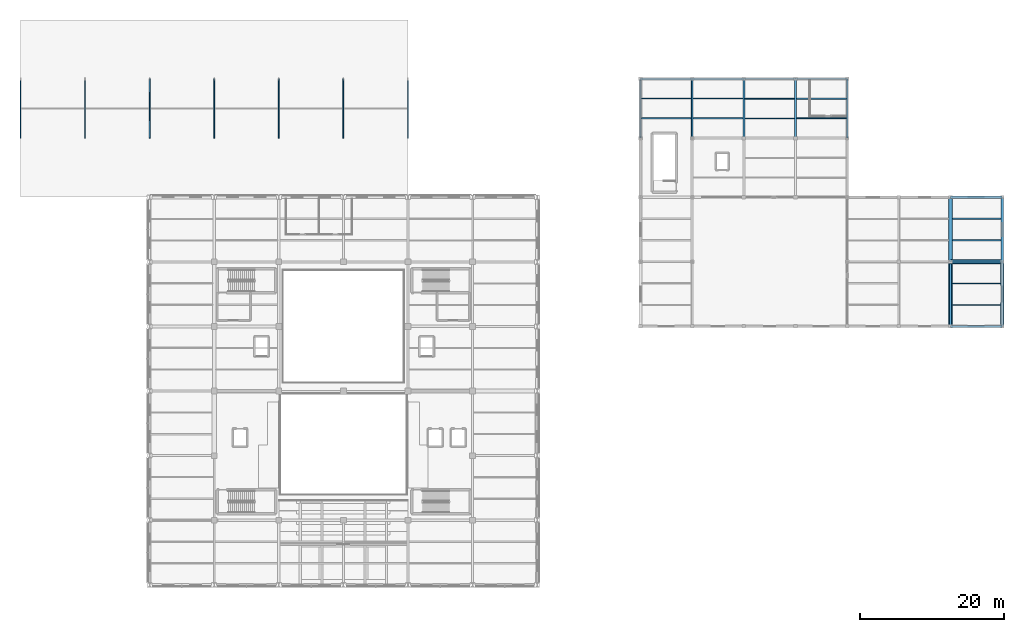
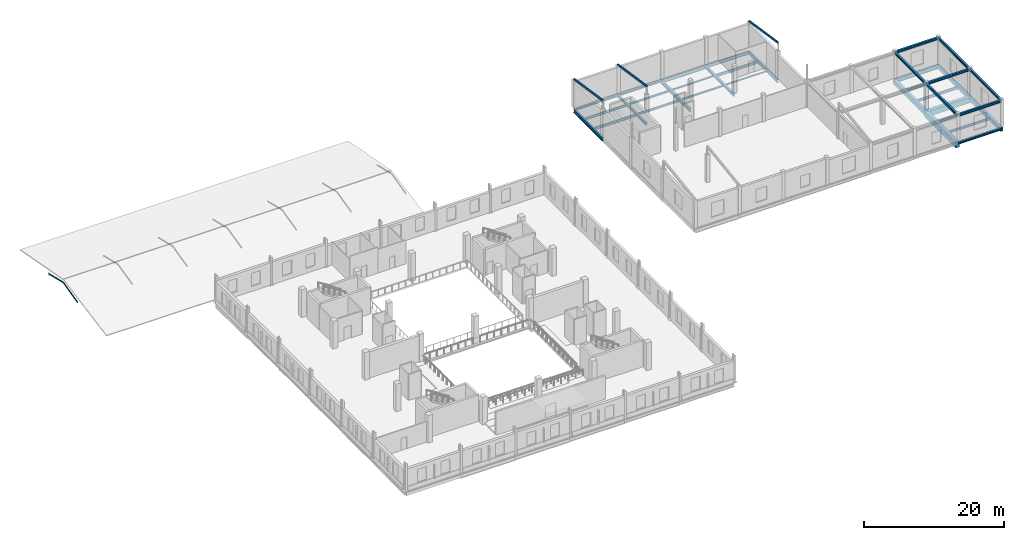
# One storey, part 14 of 35: 35 beams, 17 members.
"""IFC4 building model written with IfcOpenShell, lengths in metres."""

from ifc_helpers import new_model, si_unit, direction, frame, origin, origin_2d, place, context, subcontext, project, spatial, rectangle, hollow_rectangle, i_section, extrude, material, material_profile, profile_set, type_object, element, save


model = new_model("IFC4")

# Units and contexts
model_context = context("Model", 3, precision=1e-05, world=origin(), true_north=direction((0.0, 1.0)))
body_context = subcontext(model_context, "Body", "Model", "MODEL_VIEW")
ifc_project = project(units=[si_unit("LENGTHUNIT", "METRE"), si_unit("AREAUNIT", "SQUARE_METRE"), si_unit("VOLUMEUNIT", "CUBIC_METRE"), si_unit("PLANEANGLEUNIT", "RADIAN"), si_unit("MASSUNIT", "GRAM", prefix="KILO")], contexts=[model_context])

# Site, building, storey
site_placement = place(None, origin())
site = spatial("IfcSite", under=ifc_project, at=site_placement, CompositionType="ELEMENT")
building_placement = place(site_placement, origin())
building = spatial("IfcBuilding", under=site, at=building_placement, Name="Sundgate Opera House", CompositionType="ELEMENT")
storey_placement = place(building_placement, frame((0.0, 0.0, 21.60009765625)))
storey = spatial("IfcBuildingStorey", under=building, at=storey_placement, Name="L04", CompositionType="ELEMENT", Elevation=21.60009765625)

# Beams
ifc_material_1 = material(Name="Steel S355J2", Category="steel")
ifc_material_profile_1 = material_profile(ifc_material_1, i_section(OverallWidth=0.300048828125, OverallDepth=0.330078125, WebThickness=0.009521484375, FlangeThickness=0.0166015625, at=origin_2d()), Name="HEA 340")
ifc_profile_set_1 = profile_set([ifc_material_profile_1], Name="Steel S355J2")
beam_type_1 = type_object("IfcBeamType", Name="BM-GR-HEA340", PredefinedType="BEAM", material=ifc_profile_set_1)
beam_1_placement = place(storey_placement, frame((102.60009765625, 103.5, -0.445068359375), z_axis=(1.0, 0.0, 0.0), x_axis=(0.0, 1.0, 0.0)))
element("IfcBeam", 1, at=beam_1_placement, inside=storey, type_object=beam_type_1, Name="L04 Primary E-W Girder B3000", PredefinedType="BEAM", context=body_context, shape_type="SweptSolid", body=[
    extrude(i_section(OverallWidth=0.300048828125, OverallDepth=0.330078125, WebThickness=0.009521484375, FlangeThickness=0.0166015625, at=origin_2d()), origin(), (0.0, 0.0, 1.0), 7.199951171875),
])
ifc_material_2 = material(Name="Steel S355J2", Category="steel")
ifc_material_profile_2 = material_profile(ifc_material_2, i_section(OverallWidth=0.300048828125, OverallDepth=0.35009765625, WebThickness=0.010009765625, FlangeThickness=0.017578125, at=origin_2d()), Name="HEA 360")
ifc_profile_set_2 = profile_set([ifc_material_profile_2], Name="Steel S355J2")
beam_type_2 = type_object("IfcBeamType", Name="BM-GR-HEA360", PredefinedType="BEAM", material=ifc_profile_set_2)
beam_2_placement = place(storey_placement, frame((95.39990234375, 103.5, -0.455078125), z_axis=(1.0, 0.0, 0.0), x_axis=(0.0, 1.0, 0.0)))
element("IfcBeam", 2, at=beam_2_placement, inside=storey, type_object=beam_type_2, Name="L04 Primary E-W Girder B2999", PredefinedType="BEAM", context=body_context, shape_type="SweptSolid", body=[
    extrude(i_section(OverallWidth=0.300048828125, OverallDepth=0.35009765625, WebThickness=0.010009765625, FlangeThickness=0.017578125, at=origin_2d()), origin(), (0.0, 0.0, 1.0), 7.2001953125),
])
ifc_material_3 = material(Name="Steel S355J2", Category="steel")
ifc_material_profile_3 = material_profile(ifc_material_3, i_section(OverallWidth=0.300048828125, OverallDepth=0.389892578125, WebThickness=0.010986328125, FlangeThickness=0.01904296875, at=origin_2d()), Name="HEA 400")
ifc_profile_set_3 = profile_set([ifc_material_profile_3], Name="Steel S355J2")
beam_type_3 = type_object("IfcBeamType", Name="BM-GR-HEA400", PredefinedType="BEAM", material=ifc_profile_set_3)
for number, where, z_axis, x_axis, name in (
    (3, (138.60009765625, 69.0, 4.39501953125), (0.0, 1.0, 0.0), (-1.0, 0.0, 0.0), "L04 L04 Roof Girder B3425"),
    (4, (138.60009765625, 78.0, 4.39501953125), (0.0, 1.0, 0.0), (-1.0, 0.0, 0.0), "L04 L04 Roof Girder B3426"),
    (5, (145.800048828125, 69.0, 4.39501953125), (0.0, 1.0, 0.0), (-1.0, 0.0, 0.0), "L04 L04 Roof Girder B3427"),
    (6, (145.800048828125, 78.0, 4.39501953125), (0.0, 1.0, 0.0), (-1.0, 0.0, 0.0), "L04 L04 Roof Girder B3428"),
):
    element("IfcBeam", number, at=place(storey_placement, frame(where, z_axis=z_axis, x_axis=x_axis)), inside=storey, type_object=beam_type_3, Name=name, PredefinedType="BEAM", context=body_context, shape_type="SweptSolid", body=[
        extrude(i_section(OverallWidth=0.300048828125, OverallDepth=0.389892578125, WebThickness=0.010986328125, FlangeThickness=0.01904296875, at=origin_2d()), origin(), (0.0, 0.0, 1.0), 9.0),
    ])
for number, where, z_axis, x_axis, name in (
    (7, (138.60009765625, 69.0, 4.39501953125), (1.0, 0.0, 0.0), (0.0, 1.0, 0.0), "L04 L04 Roof Girder B3431"),
    (8, (138.60009765625, 78.0, 4.39501953125), (1.0, 0.0, 0.0), (0.0, 1.0, 0.0), "L04 L04 Roof Girder B3434"),
    (9, (138.60009765625, 87.0, 4.39501953125), (1.0, 0.0, 0.0), (0.0, 1.0, 0.0), "L04 L04 Roof Girder B3437"),
):
    element("IfcBeam", number, at=place(storey_placement, frame(where, z_axis=z_axis, x_axis=x_axis)), inside=storey, type_object=beam_type_3, Name=name, PredefinedType="BEAM", context=body_context, shape_type="SweptSolid", body=[
        extrude(i_section(OverallWidth=0.300048828125, OverallDepth=0.389892578125, WebThickness=0.010986328125, FlangeThickness=0.01904296875, at=origin_2d()), origin(), (0.0, 0.0, 1.0), 7.199951171875),
    ])
ifc_material_4 = material(Name="Steel S355J2", Category="steel")
ifc_material_profile_4 = material_profile(ifc_material_4, i_section(OverallWidth=0.300048828125, OverallDepth=0.43994140625, WebThickness=0.011474609375, FlangeThickness=0.02099609375, at=origin_2d()), Name="HEA 450")
ifc_profile_set_4 = profile_set([ifc_material_profile_4], Name="Steel S355J2")
beam_type_4 = type_object("IfcBeamType", Name="BM-GR-HEA450", PredefinedType="BEAM", material=ifc_profile_set_4)
beam_3_placement = place(storey_placement, frame((117.0, 95.25, -0.5), z_axis=(0.0, 1.0, 0.0), x_axis=(-1.0, 0.0, 0.0)))
element("IfcBeam", 10, at=beam_3_placement, inside=storey, type_object=beam_type_4, Name="L04 Primary N-S Girder B2931", PredefinedType="BEAM", context=body_context, shape_type="SweptSolid", body=[
    extrude(i_section(OverallWidth=0.300048828125, OverallDepth=0.43994140625, WebThickness=0.011474609375, FlangeThickness=0.02099609375, at=origin_2d()), origin(), (0.0, 0.0, 1.0), 8.25),
])
ifc_material_5 = material(Name="Steel S355J2", Category="steel")
ifc_material_profile_5 = material_profile(ifc_material_5, i_section(OverallWidth=0.300048828125, OverallDepth=0.590087890625, WebThickness=0.012939453125, FlangeThickness=0.02490234375, at=origin_2d()), Name="HEA 600")
ifc_profile_set_5 = profile_set([ifc_material_profile_5], Name="Steel S355J2")
beam_type_5 = type_object("IfcBeamType", Name="BM-GR-HEA600", PredefinedType="BEAM", material=ifc_profile_set_5)
beam_4_placement = place(storey_placement, frame((109.800048828125, 95.25, -0.5751953125), z_axis=(0.0, 1.0, 0.0), x_axis=(-1.0, 0.0, 0.0)))
element("IfcBeam", 11, at=beam_4_placement, inside=storey, type_object=beam_type_5, Name="L04 Primary N-S Girder B2929", PredefinedType="BEAM", context=body_context, shape_type="SweptSolid", body=[
    extrude(i_section(OverallWidth=0.300048828125, OverallDepth=0.590087890625, WebThickness=0.012939453125, FlangeThickness=0.02490234375, at=origin_2d()), origin(), (0.0, 0.0, 1.0), 8.25),
])
beam_5_placement = place(storey_placement, frame((138.60009765625, 87.0, -0.5751953125), z_axis=(1.0, 0.0, 0.0), x_axis=(0.0, 1.0, 0.0)))
element("IfcBeam", 12, at=beam_5_placement, inside=storey, type_object=beam_type_5, Name="L04 Primary E-W Girder B2995", PredefinedType="BEAM", context=body_context, shape_type="SweptSolid", body=[
    extrude(i_section(OverallWidth=0.300048828125, OverallDepth=0.590087890625, WebThickness=0.012939453125, FlangeThickness=0.02490234375, at=origin_2d()), origin(), (0.0, 0.0, 1.0), 7.199951171875),
])
ifc_material_6 = material(Name="Steel S355J2", Category="steel")
ifc_material_profile_6 = material_profile(ifc_material_6, i_section(OverallWidth=0.300048828125, OverallDepth=0.360107421875, WebThickness=0.012451171875, FlangeThickness=0.0224609375, at=origin_2d()), Name="HEB 360")
ifc_profile_set_6 = profile_set([ifc_material_profile_6], Name="Steel S355J2")
beam_type_6 = type_object("IfcBeamType", Name="BM-GR-HEB360", PredefinedType="BEAM", material=ifc_profile_set_6)
beam_6_placement = place(storey_placement, frame((138.60009765625, 69.0, -0.460205078125), z_axis=(1.0, 0.0, 0.0), x_axis=(0.0, 1.0, 0.0)))
element("IfcBeam", 13, at=beam_6_placement, inside=storey, type_object=beam_type_6, Name="L04 Primary E-W Girder B2972", PredefinedType="BEAM", context=body_context, shape_type="SweptSolid", body=[
    extrude(i_section(OverallWidth=0.300048828125, OverallDepth=0.360107421875, WebThickness=0.012451171875, FlangeThickness=0.0224609375, at=origin_2d()), origin(), (0.0, 0.0, 1.0), 7.199951171875),
])
ifc_material_7 = material(Name="Steel S355J2", Category="steel")
ifc_material_profile_7 = material_profile(ifc_material_7, i_section(OverallWidth=0.300048828125, OverallDepth=0.39990234375, WebThickness=0.013427734375, FlangeThickness=0.02392578125, at=origin_2d()), Name="HEB 400")
ifc_profile_set_7 = profile_set([ifc_material_profile_7], Name="Steel S355J2")
beam_type_7 = type_object("IfcBeamType", Name="BM-GR-HEB400", PredefinedType="BEAM", material=ifc_profile_set_7)
beam_7_placement = place(storey_placement, frame((102.60009765625, 95.25, -0.47998046875), z_axis=(0.0, 1.0, 0.0), x_axis=(-1.0, 0.0, 0.0)))
element("IfcBeam", 14, at=beam_7_placement, inside=storey, type_object=beam_type_7, Name="L04 Primary N-S Girder B2927", PredefinedType="BEAM", context=body_context, shape_type="SweptSolid", body=[
    extrude(i_section(OverallWidth=0.300048828125, OverallDepth=0.39990234375, WebThickness=0.013427734375, FlangeThickness=0.02392578125, at=origin_2d()), origin(), (0.0, 0.0, 1.0), 8.25),
])
ifc_material_8 = material(Name="Steel S355J2", Category="steel")
ifc_material_profile_8 = material_profile(ifc_material_8, i_section(OverallWidth=0.300048828125, OverallDepth=0.60009765625, WebThickness=0.015380859375, FlangeThickness=0.030029296875, at=origin_2d()), Name="HEB 600")
ifc_profile_set_8 = profile_set([ifc_material_profile_8], Name="Steel S355J2")
beam_type_8 = type_object("IfcBeamType", Name="BM-GR-HEB600", PredefinedType="BEAM", material=ifc_profile_set_8)
beam_8_placement = place(storey_placement, frame((95.39990234375, 95.25, -0.580078125), z_axis=(0.0, 1.0, 0.0), x_axis=(-1.0, 0.0, 0.0)))
element("IfcBeam", 15, at=beam_8_placement, inside=storey, type_object=beam_type_8, Name="L04 Primary N-S Girder B2923", PredefinedType="BEAM", context=body_context, shape_type="SweptSolid", body=[
    extrude(i_section(OverallWidth=0.300048828125, OverallDepth=0.60009765625, WebThickness=0.015380859375, FlangeThickness=0.030029296875, at=origin_2d()), origin(), (0.0, 0.0, 1.0), 8.25),
])
ifc_material_9 = material(Name="Steel S355J2", Category="steel")
ifc_material_profile_9 = material_profile(ifc_material_9, i_section(OverallWidth=0.2099609375, OverallDepth=0.550048828125, WebThickness=0.010986328125, FlangeThickness=0.01708984375, at=origin_2d()), Name="IPE 550")
ifc_profile_set_9 = profile_set([ifc_material_profile_9], Name="Steel S355J2")
beam_type_9 = type_object("IfcBeamType", Name="BM-GR-IPE550", PredefinedType="BEAM", material=ifc_profile_set_9)
beam_9_placement = place(storey_placement, frame((117.0, 103.5, -0.55517578125), z_axis=(1.0, 0.0, 0.0), x_axis=(0.0, 1.0, 0.0)))
element("IfcBeam", 16, at=beam_9_placement, inside=storey, type_object=beam_type_9, Name="L04 Primary E-W Girder B3002", PredefinedType="BEAM", context=body_context, shape_type="SweptSolid", body=[
    extrude(i_section(OverallWidth=0.2099609375, OverallDepth=0.550048828125, WebThickness=0.010986328125, FlangeThickness=0.01708984375, at=origin_2d()), origin(), (0.0, 0.0, 1.0), 7.199951171875),
])
ifc_material_10 = material(Name="Steel S355J2", Category="steel")
ifc_material_profile_10 = material_profile(ifc_material_10, i_section(OverallWidth=0.219970703125, OverallDepth=0.60009765625, WebThickness=0.011962890625, FlangeThickness=0.01904296875, at=origin_2d()), Name="IPE 600")
ifc_profile_set_10 = profile_set([ifc_material_profile_10], Name="Steel S355J2")
beam_type_10 = type_object("IfcBeamType", Name="BM-GR-IPE600", PredefinedType="BEAM", material=ifc_profile_set_10)
beam_10_placement = place(storey_placement, frame((124.199951171875, 95.25, -0.580078125), z_axis=(0.0, 1.0, 0.0), x_axis=(-1.0, 0.0, 0.0)))
element("IfcBeam", 17, at=beam_10_placement, inside=storey, type_object=beam_type_10, Name="L04 Primary N-S Girder B2935", PredefinedType="BEAM", context=body_context, shape_type="SweptSolid", body=[
    extrude(i_section(OverallWidth=0.219970703125, OverallDepth=0.60009765625, WebThickness=0.011962890625, FlangeThickness=0.01904296875, at=origin_2d()), origin(), (0.0, 0.0, 1.0), 8.25),
])
beam_11_placement = place(storey_placement, frame((109.800048828125, 103.5, -0.580078125), z_axis=(1.0, 0.0, 0.0), x_axis=(0.0, 1.0, 0.0)))
element("IfcBeam", 18, at=beam_11_placement, inside=storey, type_object=beam_type_10, Name="L04 Primary E-W Girder B3001", PredefinedType="BEAM", context=body_context, shape_type="SweptSolid", body=[
    extrude(i_section(OverallWidth=0.219970703125, OverallDepth=0.60009765625, WebThickness=0.011962890625, FlangeThickness=0.01904296875, at=origin_2d()), origin(), (0.0, 0.0, 1.0), 7.199951171875),
])
ifc_material_11 = material(Name="Steel S355J2", Category="steel")
ifc_material_profile_11 = material_profile(ifc_material_11, i_section(OverallWidth=0.1201171875, OverallDepth=0.239990234375, WebThickness=0.006103515625, FlangeThickness=0.009765625, at=origin_2d()), Name="IPE 240")
ifc_profile_set_11 = profile_set([ifc_material_profile_11], Name="Steel S355J2")
beam_type_11 = type_object("IfcBeamType", Name="BM-JS-IPE240", PredefinedType="JOIST", material=ifc_profile_set_11)
beam_12_placement = place(storey_placement, frame((117.14990234375, 98.0, -0.400146484375), z_axis=(1.0, 0.0, 0.0), x_axis=(0.0, 1.0, 0.0)))
element("IfcBeam", 19, at=beam_12_placement, inside=storey, type_object=beam_type_11, Name="L04 Secondary Floor Joist B3074", PredefinedType="JOIST", context=body_context, shape_type="SweptSolid", body=[
    extrude(i_section(OverallWidth=0.1201171875, OverallDepth=0.239990234375, WebThickness=0.006103515625, FlangeThickness=0.009765625, at=origin_2d()), origin(), (0.0, 0.0, 1.0), 6.940185546875),
])
ifc_material_12 = material(Name="Steel S355J2", Category="steel")
ifc_material_profile_12 = material_profile(ifc_material_12, i_section(OverallWidth=0.135009765625, OverallDepth=0.27001953125, WebThickness=0.006591796875, FlangeThickness=0.01025390625, at=origin_2d()), Name="IPE 270")
ifc_profile_set_12 = profile_set([ifc_material_profile_12], Name="Steel S355J2")
beam_type_12 = type_object("IfcBeamType", Name="BM-JS-IPE270", PredefinedType="JOIST", material=ifc_profile_set_12)
beam_13_placement = place(storey_placement, frame((109.949951171875, 100.75, -0.4150390625), z_axis=(1.0, 0.0, 0.0), x_axis=(0.0, 1.0, 0.0)))
element("IfcBeam", 20, at=beam_13_placement, inside=storey, type_object=beam_type_12, Name="L04 Secondary Floor Joist B3073", PredefinedType="JOIST", context=body_context, shape_type="SweptSolid", body=[
    extrude(i_section(OverallWidth=0.135009765625, OverallDepth=0.27001953125, WebThickness=0.006591796875, FlangeThickness=0.01025390625, at=origin_2d()), origin(), (0.0, 0.0, 1.0), 6.900146484375),
])
ifc_material_13 = material(Name="Steel S355J2", Category="steel")
ifc_material_profile_13 = material_profile(ifc_material_13, i_section(OverallWidth=0.14990234375, OverallDepth=0.300048828125, WebThickness=0.007080078125, FlangeThickness=0.0107421875, at=origin_2d()), Name="IPE 300")
ifc_profile_set_13 = profile_set([ifc_material_profile_13], Name="Steel S355J2")
beam_type_13 = type_object("IfcBeamType", Name="BM-JS-IPE300", PredefinedType="JOIST", material=ifc_profile_set_13)
beam_14_placement = place(storey_placement, frame((109.949951171875, 98.0, -0.43017578125), z_axis=(1.0, 0.0, 0.0), x_axis=(0.0, 1.0, 0.0)))
element("IfcBeam", 21, at=beam_14_placement, inside=storey, type_object=beam_type_13, Name="L04 Secondary Floor Joist B3072", PredefinedType="JOIST", context=body_context, shape_type="SweptSolid", body=[
    extrude(i_section(OverallWidth=0.14990234375, OverallDepth=0.300048828125, WebThickness=0.007080078125, FlangeThickness=0.0107421875, at=origin_2d()), origin(), (0.0, 0.0, 1.0), 6.900146484375),
])
ifc_material_14 = material(Name="Steel S355J2", Category="steel")
ifc_material_profile_14 = material_profile(ifc_material_14, i_section(OverallWidth=0.159912109375, OverallDepth=0.330078125, WebThickness=0.007568359375, FlangeThickness=0.011474609375, at=origin_2d()), Name="IPE 330")
ifc_profile_set_14 = profile_set([ifc_material_profile_14], Name="Steel S355J2")
beam_type_14 = type_object("IfcBeamType", Name="BM-JS-IPE330", PredefinedType="JOIST", material=ifc_profile_set_14)
beam_15_placement = place(storey_placement, frame((102.75, 100.75, -0.445068359375), z_axis=(1.0, 0.0, 0.0), x_axis=(0.0, 1.0, 0.0)))
element("IfcBeam", 22, at=beam_15_placement, inside=storey, type_object=beam_type_14, Name="L04 Secondary Floor Joist B3071", PredefinedType="JOIST", context=body_context, shape_type="SweptSolid", body=[
    extrude(i_section(OverallWidth=0.159912109375, OverallDepth=0.330078125, WebThickness=0.007568359375, FlangeThickness=0.011474609375, at=origin_2d()), origin(), (0.0, 0.0, 1.0), 6.89990234375),
])
ifc_material_15 = material(Name="Steel S355J2", Category="steel")
ifc_material_profile_15 = material_profile(ifc_material_15, i_section(OverallWidth=0.169921875, OverallDepth=0.360107421875, WebThickness=0.008056640625, FlangeThickness=0.0126953125, at=origin_2d()), Name="IPE 360")
ifc_profile_set_15 = profile_set([ifc_material_profile_15], Name="Steel S355J2")
beam_type_15 = type_object("IfcBeamType", Name="BM-JS-IPE360", PredefinedType="JOIST", material=ifc_profile_set_15)
beam_16_placement = place(storey_placement, frame((138.89990234375, 75.0, -0.460205078125), z_axis=(1.0, 0.0, 0.0), x_axis=(0.0, 1.0, 0.0)))
element("IfcBeam", 23, at=beam_16_placement, inside=storey, type_object=beam_type_15, Name="L04 Secondary Floor Joist B3042", PredefinedType="JOIST", context=body_context, shape_type="SweptSolid", body=[
    extrude(i_section(OverallWidth=0.169921875, OverallDepth=0.360107421875, WebThickness=0.008056640625, FlangeThickness=0.0126953125, at=origin_2d()), origin(), (0.0, 0.0, 1.0), 6.675048828125),
])
beam_17_placement = place(storey_placement, frame((102.75, 98.0, -0.460205078125), z_axis=(1.0, 0.0, 0.0), x_axis=(0.0, 1.0, 0.0)))
element("IfcBeam", 24, at=beam_17_placement, inside=storey, type_object=beam_type_15, Name="L04 Secondary Floor Joist B3070", PredefinedType="JOIST", context=body_context, shape_type="SweptSolid", body=[
    extrude(i_section(OverallWidth=0.169921875, OverallDepth=0.360107421875, WebThickness=0.008056640625, FlangeThickness=0.0126953125, at=origin_2d()), origin(), (0.0, 0.0, 1.0), 6.89990234375),
])
ifc_material_16 = material(Name="Steel S355J2", Category="steel")
ifc_material_profile_16 = material_profile(ifc_material_16, i_section(OverallWidth=0.179931640625, OverallDepth=0.39990234375, WebThickness=0.008544921875, FlangeThickness=0.013427734375, at=origin_2d()), Name="IPE 400")
ifc_profile_set_16 = profile_set([ifc_material_profile_16], Name="Steel S355J2")
beam_type_16 = type_object("IfcBeamType", Name="BM-JS-IPE400", PredefinedType="JOIST", material=ifc_profile_set_16)
beam_18_placement = place(storey_placement, frame((138.89990234375, 72.0, -0.47998046875), z_axis=(1.0, 0.0, 0.0), x_axis=(0.0, 1.0, 0.0)))
element("IfcBeam", 25, at=beam_18_placement, inside=storey, type_object=beam_type_16, Name="L04 Secondary Floor Joist B3041", PredefinedType="JOIST", context=body_context, shape_type="SweptSolid", body=[
    extrude(i_section(OverallWidth=0.179931640625, OverallDepth=0.39990234375, WebThickness=0.008544921875, FlangeThickness=0.013427734375, at=origin_2d()), origin(), (0.0, 0.0, 1.0), 6.675048828125),
])
beam_19_placement = place(storey_placement, frame((138.85009765625, 84.0, -0.47998046875), z_axis=(1.0, 0.0, 0.0), x_axis=(0.0, 1.0, 0.0)))
element("IfcBeam", 26, at=beam_19_placement, inside=storey, type_object=beam_type_16, Name="L04 Secondary Floor Joist B3062", PredefinedType="JOIST", context=body_context, shape_type="SweptSolid", body=[
    extrude(i_section(OverallWidth=0.179931640625, OverallDepth=0.39990234375, WebThickness=0.008544921875, FlangeThickness=0.013427734375, at=origin_2d()), origin(), (0.0, 0.0, 1.0), 6.75),
])
beam_20_placement = place(storey_placement, frame((95.550048828125, 100.75, -0.47998046875), z_axis=(1.0, 0.0, 0.0), x_axis=(0.0, 1.0, 0.0)))
element("IfcBeam", 27, at=beam_20_placement, inside=storey, type_object=beam_type_16, Name="L04 Secondary Floor Joist B3069", PredefinedType="JOIST", context=body_context, shape_type="SweptSolid", body=[
    extrude(i_section(OverallWidth=0.179931640625, OverallDepth=0.39990234375, WebThickness=0.008544921875, FlangeThickness=0.013427734375, at=origin_2d()), origin(), (0.0, 0.0, 1.0), 6.89990234375),
])
ifc_material_17 = material(Name="Steel S355J2", Category="steel")
ifc_material_profile_17 = material_profile(ifc_material_17, i_section(OverallWidth=0.18994140625, OverallDepth=0.449951171875, WebThickness=0.009521484375, FlangeThickness=0.0146484375, at=origin_2d()), Name="IPE 450")
ifc_profile_set_17 = profile_set([ifc_material_profile_17], Name="Steel S355J2")
beam_type_17 = type_object("IfcBeamType", Name="BM-JS-IPE450", PredefinedType="JOIST", material=ifc_profile_set_17)
beam_21_placement = place(storey_placement, frame((138.85009765625, 81.0, -0.505126953125), z_axis=(1.0, 0.0, 0.0), x_axis=(0.0, 1.0, 0.0)))
element("IfcBeam", 28, at=beam_21_placement, inside=storey, type_object=beam_type_17, Name="L04 Secondary Floor Joist B3061", PredefinedType="JOIST", context=body_context, shape_type="SweptSolid", body=[
    extrude(i_section(OverallWidth=0.18994140625, OverallDepth=0.449951171875, WebThickness=0.009521484375, FlangeThickness=0.0146484375, at=origin_2d()), origin(), (0.0, 0.0, 1.0), 6.75),
])
beam_22_placement = place(storey_placement, frame((95.550048828125, 98.0, -0.505126953125), z_axis=(1.0, 0.0, 0.0), x_axis=(0.0, 1.0, 0.0)))
element("IfcBeam", 29, at=beam_22_placement, inside=storey, type_object=beam_type_17, Name="L04 Secondary Floor Joist B3068", PredefinedType="JOIST", context=body_context, shape_type="SweptSolid", body=[
    extrude(i_section(OverallWidth=0.18994140625, OverallDepth=0.449951171875, WebThickness=0.009521484375, FlangeThickness=0.0146484375, at=origin_2d()), origin(), (0.0, 0.0, 1.0), 6.89990234375),
])
beam_23_placement = place(storey_placement, frame((117.14990234375, 100.75, -0.505126953125), z_axis=(1.0, 0.0, 0.0), x_axis=(0.0, 1.0, 0.0)))
element("IfcBeam", 30, at=beam_23_placement, inside=storey, type_object=beam_type_17, Name="L04 Secondary Floor Joist B3075", PredefinedType="JOIST", context=body_context, shape_type="SweptSolid", body=[
    extrude(i_section(OverallWidth=0.18994140625, OverallDepth=0.449951171875, WebThickness=0.009521484375, FlangeThickness=0.0146484375, at=origin_2d()), origin(), (0.0, 0.0, 1.0), 6.940185546875),
])
ifc_material_18 = material(Name="Concrete C35/45", Category="concrete")
ifc_material_profile_18 = material_profile(ifc_material_18, rectangle(XDim=0.39990234375, YDim=0.60009765625, at=origin_2d()), Name="RC 400x600")
ifc_profile_set_18 = profile_set([ifc_material_profile_18], Name="Concrete C35/45")
beam_type_18 = type_object("IfcBeamType", Name="BM-RC-400x600", PredefinedType="BEAM", material=ifc_profile_set_18)
beam_24_placement = place(storey_placement, frame((145.800048828125, 78.0, -0.580078125), z_axis=(0.0, 1.0, 0.0), x_axis=(-1.0, 0.0, 0.0)))
element("IfcBeam", 31, at=beam_24_placement, inside=storey, type_object=beam_type_18, Name="L04 Primary N-S Girder B2941", PredefinedType="BEAM", context=body_context, shape_type="SweptSolid", body=[
    extrude(rectangle(XDim=0.39990234375, YDim=0.60009765625, at=origin_2d()), origin(), (0.0, 0.0, 1.0), 9.0),
])
ifc_material_19 = material(Name="Concrete C35/45", Category="concrete")
ifc_material_profile_19 = material_profile(ifc_material_19, rectangle(XDim=0.449951171875, YDim=0.64990234375, at=origin_2d()), Name="RC 450x650")
ifc_profile_set_19 = profile_set([ifc_material_profile_19], Name="Concrete C35/45")
beam_type_19 = type_object("IfcBeamType", Name="BM-RC-450x650", PredefinedType="BEAM", material=ifc_profile_set_19)
beam_25_placement = place(storey_placement, frame((145.800048828125, 69.0, -0.60498046875), z_axis=(0.0, 1.0, 0.0), x_axis=(-1.0, 0.0, 0.0)))
element("IfcBeam", 32, at=beam_25_placement, inside=storey, type_object=beam_type_19, Name="L04 Primary N-S Girder B2940", PredefinedType="BEAM", context=body_context, shape_type="SweptSolid", body=[
    extrude(rectangle(XDim=0.449951171875, YDim=0.64990234375, at=origin_2d()), origin(), (0.0, 0.0, 1.0), 9.0),
])
ifc_material_20 = material(Name="Concrete C40/50", Category="concrete")
ifc_material_profile_20 = material_profile(ifc_material_20, rectangle(XDim=0.5, YDim=0.75, at=origin_2d()), Name="RC 500x750")
ifc_profile_set_20 = profile_set([ifc_material_profile_20], Name="Concrete C40/50")
beam_type_20 = type_object("IfcBeamType", Name="BM-RC-500x750", PredefinedType="BEAM", material=ifc_profile_set_20)
beam_26_placement = place(storey_placement, frame((138.60009765625, 78.0, -0.655029296875), z_axis=(0.0, 1.0, 0.0), x_axis=(-1.0, 0.0, 0.0)))
element("IfcBeam", 33, at=beam_26_placement, inside=storey, type_object=beam_type_20, Name="L04 Primary N-S Girder B2939", PredefinedType="BEAM", context=body_context, shape_type="SweptSolid", body=[
    extrude(rectangle(XDim=0.5, YDim=0.75, at=origin_2d()), origin(), (0.0, 0.0, 1.0), 9.0),
])
ifc_material_21 = material(Name="Concrete C40/50", Category="concrete")
ifc_material_profile_21 = material_profile(ifc_material_21, rectangle(XDim=0.60009765625, YDim=0.949951171875, at=origin_2d()), Name="RC 600x950")
ifc_profile_set_21 = profile_set([ifc_material_profile_21], Name="Concrete C40/50")
beam_type_21 = type_object("IfcBeamType", Name="BM-RC-600x950", PredefinedType="BEAM", material=ifc_profile_set_21)
beam_27_placement = place(storey_placement, frame((138.60009765625, 69.0, -0.755126953125), z_axis=(0.0, 1.0, 0.0), x_axis=(-1.0, 0.0, 0.0)))
element("IfcBeam", 34, at=beam_27_placement, inside=storey, type_object=beam_type_21, Name="L04 Primary N-S Girder B2938", PredefinedType="BEAM", context=body_context, shape_type="SweptSolid", body=[
    extrude(rectangle(XDim=0.60009765625, YDim=0.949951171875, at=origin_2d()), origin(), (0.0, 0.0, 1.0), 9.0),
])
beam_28_placement = place(storey_placement, frame((138.60009765625, 78.0, -0.755126953125), z_axis=(1.0, 0.0, 0.0), x_axis=(0.0, 1.0, 0.0)))
element("IfcBeam", 35, at=beam_28_placement, inside=storey, type_object=beam_type_21, Name="L04 Primary E-W Girder B2982", PredefinedType="BEAM", context=body_context, shape_type="SweptSolid", body=[
    extrude(rectangle(XDim=0.60009765625, YDim=0.949951171875, at=origin_2d()), origin(), (0.0, 0.0, 1.0), 7.199951171875),
])

# Members
ifc_material_22 = material(Name="Steel S355J2", Category="steel")
ifc_material_profile_22 = material_profile(ifc_material_22, hollow_rectangle(XDim=0.199951171875, YDim=0.300048828125, WallThickness=0.012451171875, at=origin_2d()), Name="RHS 300x200x12.5")
ifc_profile_set_22 = profile_set([ifc_material_profile_22], Name="Steel S355J2")
member_type_1 = type_object("IfcMemberType", Name="MB-ARCH-RHS300", PredefinedType="USERDEFINED", material=ifc_profile_set_22)
for number, where, z_axis, x_axis, name in (
    (36, (95.39990234375, 95.25, 6.099853515625), (0.0, 0.988715504225, -0.149805379428), (-1.0, 0.0, 0.0), "Conservatory Vault Rib M0441"),
    (37, (102.60009765625, 95.25, 6.099853515625), (0.0, 0.988715504225, -0.149805379428), (-1.0, 0.0, 0.0), "Conservatory Vault Rib M0448"),
    (38, (124.199951171875, 95.25, 6.099853515625), (0.0, 0.988715504225, -0.149805379428), (-1.0, 0.0, 0.0), "Conservatory Vault Rib M0455"),
):
    element("IfcMember", number, at=place(storey_placement, frame(where, z_axis=z_axis, x_axis=x_axis)), inside=storey, type_object=member_type_1, Name=name, ObjectType="ARCH RIB", PredefinedType="USERDEFINED", context=body_context, shape_type="SweptSolid", body=[
        extrude(hollow_rectangle(XDim=0.199951171875, YDim=0.300048828125, WallThickness=0.012451171875, at=origin_2d()), origin(), (0.0, 0.0, 1.0), 8.34423828125),
    ])
ifc_material_23 = material(Name="Steel S355J2", Category="steel")
ifc_material_profile_23 = material_profile(ifc_material_23, hollow_rectangle(XDim=0.1201171875, YDim=0.219970703125, WallThickness=0.010009765625, at=origin_2d()), Name="RHS 220x120x10.0")
ifc_profile_set_23 = profile_set([ifc_material_profile_23], Name="Steel S355J2")
member_type_2 = type_object("IfcMemberType", Name="MB-CHORD-RHS220", PredefinedType="CHORD", material=ifc_profile_set_23)
member_1_placement = place(storey_placement, frame((9.0, 95.25, 1.25), z_axis=(0.0, 0.971786143278, 0.23586371432), x_axis=(-1.0, 0.0, 0.0)))
element("IfcMember", 39, at=member_1_placement, inside=storey, type_object=member_type_2, Name="Atelier Roof Rafter M0459", PredefinedType="CHORD", context=body_context, shape_type="SweptSolid", body=[
    extrude(hollow_rectangle(XDim=0.1201171875, YDim=0.219970703125, WallThickness=0.010009765625, at=origin_2d()), origin(), (0.0, 0.0, 1.0), 4.23974609375),
])
member_2_placement = place(storey_placement, frame((9.0, 99.3701171875, 2.25), z_axis=(0.0, 0.971913853927, -0.235336908589), x_axis=(-1.0, 0.0, 0.0)))
element("IfcMember", 40, at=member_2_placement, inside=storey, type_object=member_type_2, Name="Atelier Roof Rafter M0460", PredefinedType="CHORD", context=body_context, shape_type="SweptSolid", body=[
    extrude(hollow_rectangle(XDim=0.1201171875, YDim=0.219970703125, WallThickness=0.010009765625, at=origin_2d()), origin(), (0.0, 0.0, 1.0), 4.249267578125),
])
member_3_placement = place(storey_placement, frame((18.0, 95.25, 1.25), z_axis=(0.0, 0.971786143278, 0.23586371432), x_axis=(-1.0, 0.0, 0.0)))
element("IfcMember", 41, at=member_3_placement, inside=storey, type_object=member_type_2, Name="Atelier Roof Rafter M0466", PredefinedType="CHORD", context=body_context, shape_type="SweptSolid", body=[
    extrude(hollow_rectangle(XDim=0.1201171875, YDim=0.219970703125, WallThickness=0.010009765625, at=origin_2d()), origin(), (0.0, 0.0, 1.0), 4.23974609375),
])
member_4_placement = place(storey_placement, frame((18.0, 99.3701171875, 2.25), z_axis=(0.0, 0.971913853927, -0.235336908589), x_axis=(-1.0, 0.0, 0.0)))
element("IfcMember", 42, at=member_4_placement, inside=storey, type_object=member_type_2, Name="Atelier Roof Rafter M0467", PredefinedType="CHORD", context=body_context, shape_type="SweptSolid", body=[
    extrude(hollow_rectangle(XDim=0.1201171875, YDim=0.219970703125, WallThickness=0.010009765625, at=origin_2d()), origin(), (0.0, 0.0, 1.0), 4.249267578125),
])
member_5_placement = place(storey_placement, frame((27.0, 95.25, 1.25), z_axis=(0.0, 0.971786143278, 0.23586371432), x_axis=(-1.0, 0.0, 0.0)))
element("IfcMember", 43, at=member_5_placement, inside=storey, type_object=member_type_2, Name="Atelier Roof Rafter M0473", PredefinedType="CHORD", context=body_context, shape_type="SweptSolid", body=[
    extrude(hollow_rectangle(XDim=0.1201171875, YDim=0.219970703125, WallThickness=0.010009765625, at=origin_2d()), origin(), (0.0, 0.0, 1.0), 4.23974609375),
])
member_6_placement = place(storey_placement, frame((27.0, 99.3701171875, 2.25), z_axis=(0.0, 0.971913853927, -0.235336908589), x_axis=(-1.0, 0.0, 0.0)))
element("IfcMember", 44, at=member_6_placement, inside=storey, type_object=member_type_2, Name="Atelier Roof Rafter M0474", PredefinedType="CHORD", context=body_context, shape_type="SweptSolid", body=[
    extrude(hollow_rectangle(XDim=0.1201171875, YDim=0.219970703125, WallThickness=0.010009765625, at=origin_2d()), origin(), (0.0, 0.0, 1.0), 4.249267578125),
])
member_7_placement = place(storey_placement, frame((36.0, 95.25, 1.25), z_axis=(0.0, 0.971786143278, 0.23586371432), x_axis=(-1.0, 0.0, 0.0)))
element("IfcMember", 45, at=member_7_placement, inside=storey, type_object=member_type_2, Name="Atelier Roof Rafter M0480", PredefinedType="CHORD", context=body_context, shape_type="SweptSolid", body=[
    extrude(hollow_rectangle(XDim=0.1201171875, YDim=0.219970703125, WallThickness=0.010009765625, at=origin_2d()), origin(), (0.0, 0.0, 1.0), 4.23974609375),
])
member_8_placement = place(storey_placement, frame((36.0, 99.3701171875, 2.25), z_axis=(0.0, 0.971913853927, -0.235336908589), x_axis=(-1.0, 0.0, 0.0)))
element("IfcMember", 46, at=member_8_placement, inside=storey, type_object=member_type_2, Name="Atelier Roof Rafter M0481", PredefinedType="CHORD", context=body_context, shape_type="SweptSolid", body=[
    extrude(hollow_rectangle(XDim=0.1201171875, YDim=0.219970703125, WallThickness=0.010009765625, at=origin_2d()), origin(), (0.0, 0.0, 1.0), 4.249267578125),
])
member_9_placement = place(storey_placement, frame((45.0, 95.25, 1.25), z_axis=(0.0, 0.971786143278, 0.23586371432), x_axis=(-1.0, 0.0, 0.0)))
element("IfcMember", 47, at=member_9_placement, inside=storey, type_object=member_type_2, Name="Atelier Roof Rafter M0487", PredefinedType="CHORD", context=body_context, shape_type="SweptSolid", body=[
    extrude(hollow_rectangle(XDim=0.1201171875, YDim=0.219970703125, WallThickness=0.010009765625, at=origin_2d()), origin(), (0.0, 0.0, 1.0), 4.23974609375),
])
member_10_placement = place(storey_placement, frame((45.0, 99.3701171875, 2.25), z_axis=(0.0, 0.971913853927, -0.235336908589), x_axis=(-1.0, 0.0, 0.0)))
element("IfcMember", 48, at=member_10_placement, inside=storey, type_object=member_type_2, Name="Atelier Roof Rafter M0488", PredefinedType="CHORD", context=body_context, shape_type="SweptSolid", body=[
    extrude(hollow_rectangle(XDim=0.1201171875, YDim=0.219970703125, WallThickness=0.010009765625, at=origin_2d()), origin(), (0.0, 0.0, 1.0), 4.249267578125),
])
member_11_placement = place(storey_placement, frame((54.0, 95.25, 1.25), z_axis=(0.0, 0.971786143278, 0.23586371432), x_axis=(-1.0, 0.0, 0.0)))
element("IfcMember", 49, at=member_11_placement, inside=storey, type_object=member_type_2, Name="Atelier Roof Rafter M0494", PredefinedType="CHORD", context=body_context, shape_type="SweptSolid", body=[
    extrude(hollow_rectangle(XDim=0.1201171875, YDim=0.219970703125, WallThickness=0.010009765625, at=origin_2d()), origin(), (0.0, 0.0, 1.0), 4.23974609375),
])
member_12_placement = place(storey_placement, frame((54.0, 99.3701171875, 2.25), z_axis=(0.0, 0.971913853927, -0.235336908589), x_axis=(-1.0, 0.0, 0.0)))
element("IfcMember", 50, at=member_12_placement, inside=storey, type_object=member_type_2, Name="Atelier Roof Rafter M0495", PredefinedType="CHORD", context=body_context, shape_type="SweptSolid", body=[
    extrude(hollow_rectangle(XDim=0.1201171875, YDim=0.219970703125, WallThickness=0.010009765625, at=origin_2d()), origin(), (0.0, 0.0, 1.0), 4.249267578125),
])
member_13_placement = place(storey_placement, frame((63.0, 95.25, 1.25), z_axis=(0.0, 0.971786143278, 0.23586371432), x_axis=(-1.0, 0.0, 0.0)))
element("IfcMember", 51, at=member_13_placement, inside=storey, type_object=member_type_2, Name="Atelier Roof Rafter M0501", PredefinedType="CHORD", context=body_context, shape_type="SweptSolid", body=[
    extrude(hollow_rectangle(XDim=0.1201171875, YDim=0.219970703125, WallThickness=0.010009765625, at=origin_2d()), origin(), (0.0, 0.0, 1.0), 4.23974609375),
])
member_14_placement = place(storey_placement, frame((63.0, 99.3701171875, 2.25), z_axis=(0.0, 0.971913853927, -0.235336908589), x_axis=(-1.0, 0.0, 0.0)))
element("IfcMember", 52, at=member_14_placement, inside=storey, type_object=member_type_2, Name="Atelier Roof Rafter M0502", PredefinedType="CHORD", context=body_context, shape_type="SweptSolid", body=[
    extrude(hollow_rectangle(XDim=0.1201171875, YDim=0.219970703125, WallThickness=0.010009765625, at=origin_2d()), origin(), (0.0, 0.0, 1.0), 4.249267578125),
])

save(model, "model.ifc")
